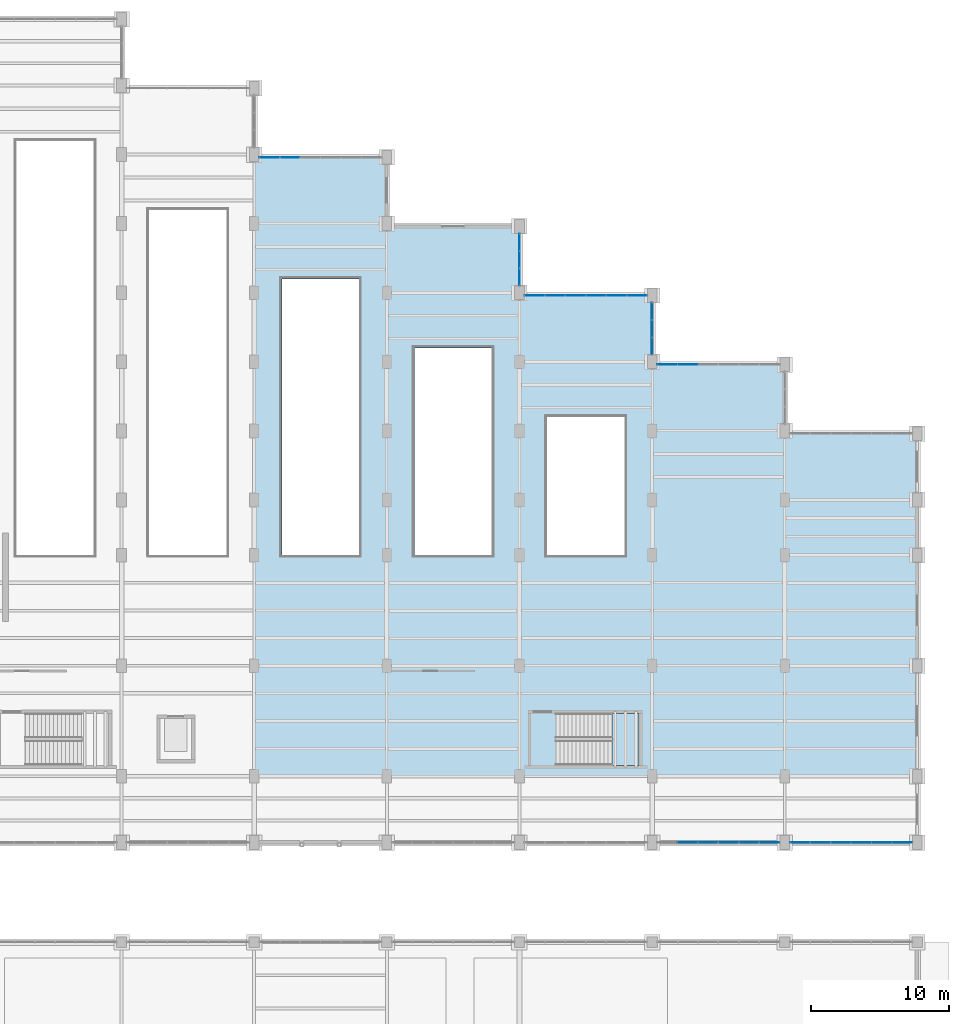
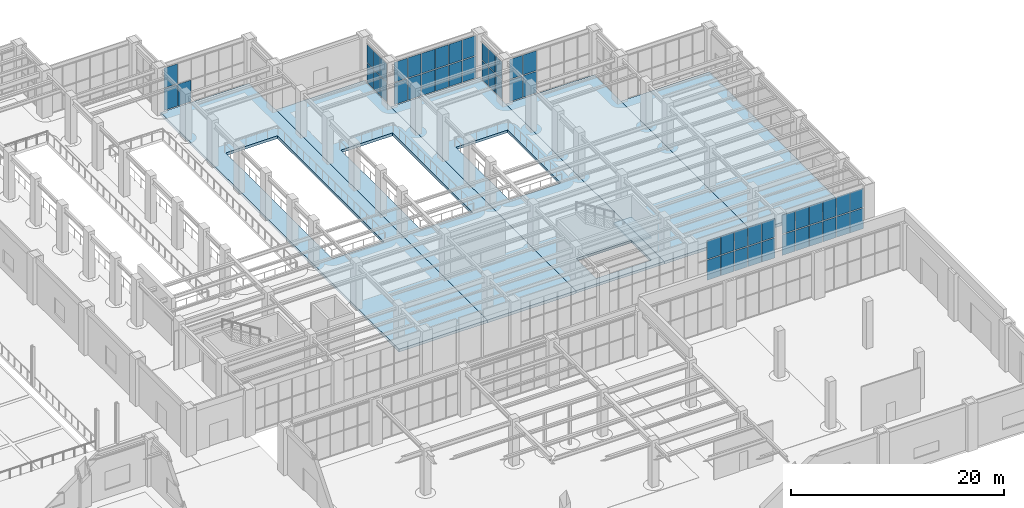
# One storey, part 124 of 164: 53 plates, 6 slabs, 8 elements without a shape of their own.
"""IFC4 building model written with IfcOpenShell, lengths in metres."""

import ifcopenshell
import ifcopenshell.guid

model = None  # the IFC model being written
_history = None  # IfcOwnerHistory: only IFC2X3 demands one
_inside = {}  # id of a spatial element -> (the spatial element, [elements in it])
_under = {}  # id of a project, library or spatial element -> (it, [spatial elements below it])
_declared = {}  # id of a project -> (the project, [libraries it declares])
_typed = {}  # id of a type object -> (the type object, [elements of that type])
_made_of = {}  # id of a material, layer set ... -> (it, [elements and type objects made of it])


def new_model(schema):
    """Start an empty IFC model of exactly this schema.

    Asked for "IFC4X3", IfcOpenShell would pick the latest addendum, in which some entities
    have other attributes; the version numbers below select the first issue.
    IFC2X3 requires an IfcOwnerHistory on every rooted entity: one is made here for all.
    """
    global model, _history
    if schema == "IFC4X3":
        model = ifcopenshell.file(schema_version=(4, 3, 0, 0))
    else:
        model = ifcopenshell.file(schema=schema)
    _inside.clear()
    _under.clear()
    _declared.clear()
    _typed.clear()
    _made_of.clear()
    _history = None
    if model.schema == "IFC2X3":
        org = make("IfcOrganization", Name="unknown")
        user = make(
            "IfcPersonAndOrganization",
            ThePerson=make("IfcPerson", FamilyName="unknown"),
            TheOrganization=org,
        )
        app = make(
            "IfcApplication",
            ApplicationDeveloper=org,
            Version="unknown",
            ApplicationFullName="unknown",
            ApplicationIdentifier="unknown",
        )
        _history = make(
            "IfcOwnerHistory",
            OwningUser=user,
            OwningApplication=app,
            ChangeAction="ADDED",
            CreationDate=0,
        )
    return model


def make(cls, **values):
    """One entity of the class cls with the attributes given. An attribute that is None is left unset."""
    return model.create_entity(
        cls, **{name: value for name, value in values.items() if value is not None}
    )


def rooted(cls, **values):
    """An entity with a GlobalId (a new one), such as an element, a storey or a relation."""
    return make(cls, GlobalId=ifcopenshell.guid.new(), OwnerHistory=_history, **values)


def si_unit(unit_type, name, prefix=None):
    """IfcSIUnit, for example si_unit("LENGTHUNIT", "METRE", prefix="MILLI")."""
    return make("IfcSIUnit", UnitType=unit_type, Prefix=prefix, Name=name)


def assignment(units):
    """IfcUnitAssignment: the units of a project."""
    return None if units is None else make("IfcUnitAssignment", Units=units)


def point(xyz):
    """IfcCartesianPoint."""
    return None if xyz is None else make("IfcCartesianPoint", Coordinates=xyz)


def direction(xyz):
    """IfcDirection."""
    return None if xyz is None else make("IfcDirection", DirectionRatios=xyz)


def frame(location, z_axis=None, x_axis=None):
    """IfcAxis2Placement3D, a coordinate frame: its origin and axes. An axis left out is left unset."""
    return make(
        "IfcAxis2Placement3D",
        Location=point(location),
        Axis=direction(z_axis),
        RefDirection=direction(x_axis),
    )


def frame_2d(location, x_axis=None):
    """IfcAxis2Placement2D, a coordinate frame in the plane: its origin and x axis."""
    return make(
        "IfcAxis2Placement2D", Location=point(location), RefDirection=direction(x_axis)
    )


def origin():
    """The frame at (0, 0, 0) with its axes left unset."""
    return frame((0.0, 0.0, 0.0))


def origin_2d():
    """The frame at (0, 0) in the plane with its x axis left unset."""
    return frame_2d((0.0, 0.0))


def place(relative_to, where):
    """IfcLocalPlacement: puts the frame where relative to a parent placement (None: the world)."""
    return make(
        "IfcLocalPlacement", PlacementRelTo=relative_to, RelativePlacement=where
    )


def context(
    kind, dimensions, precision=None, world=None, true_north=None, identifier=None
):
    """IfcGeometricRepresentationContext, for example the 3D "Model" context."""
    return make(
        "IfcGeometricRepresentationContext",
        ContextIdentifier=identifier,
        ContextType=kind,
        CoordinateSpaceDimension=dimensions,
        Precision=precision,
        WorldCoordinateSystem=world,
        TrueNorth=true_north,
    )


def subcontext(parent, identifier, kind, view, scale=None):
    """IfcGeometricRepresentationSubContext, for example "Body" below "Model"."""
    return make(
        "IfcGeometricRepresentationSubContext",
        ContextIdentifier=identifier,
        ContextType=kind,
        ParentContext=parent,
        TargetScale=scale,
        TargetView=view,
    )


def project(units=None, contexts=None):
    """IfcProject with its units and contexts."""
    return rooted(
        "IfcProject",
        Name="project",
        RepresentationContexts=contexts,
        UnitsInContext=assignment(units),
    )


def spatial(cls, under=None, at=None, **own):
    """A site, building, storey or space (cls), placed at a placement, below another one or the project."""
    s = rooted(cls, ObjectPlacement=at, **own)
    if under is not None:
        _under.setdefault(under.id(), (under, []))[1].append(s)
    return s


def polyline(points):
    """IfcPolyline through the points."""
    return make("IfcPolyline", Points=[point(p) for p in points])


def profile(cls, at=None, kind="AREA", **sizes):
    """A parametric profile (cls). Its sizes go by their IFC names, for example OverallWidth=200.0."""
    return make(cls, ProfileType=kind, Position=at, **sizes)


def rectangle(**sizes):
    """IfcRectangleProfileDef."""
    return profile("IfcRectangleProfileDef", **sizes)


def outline(outer, holes=None, kind="AREA"):
    """IfcArbitraryClosedProfileDef: a profile drawn as a closed curve; with holes, ...WithVoids."""
    if holes is None:
        return make("IfcArbitraryClosedProfileDef", ProfileType=kind, OuterCurve=outer)
    return make(
        "IfcArbitraryProfileDefWithVoids",
        ProfileType=kind,
        OuterCurve=outer,
        InnerCurves=holes,
    )


def extrude(swept, where, along, depth):
    """IfcExtrudedAreaSolid: the profile swept, set in the frame where, extruded along a direction by depth."""
    return make(
        "IfcExtrudedAreaSolid",
        SweptArea=swept,
        Position=where,
        ExtrudedDirection=direction(along),
        Depth=depth,
    )


def shape(context_of_items, identifier, shape_type, items):
    """IfcShapeRepresentation: the items that make up one representation, for example the "Body"."""
    return make(
        "IfcShapeRepresentation",
        ContextOfItems=context_of_items,
        RepresentationIdentifier=identifier,
        RepresentationType=shape_type,
        Items=items,
    )


def material(Name=None, Category=None):
    """IfcMaterial."""
    return make("IfcMaterial", Name=Name, Category=Category)


def layer(
    of_material, thickness, ventilated=None, Name=None, Category=None, Priority=None
):
    """IfcMaterialLayer: one layer of a wall or slab, of a material (None: an air gap)."""
    return make(
        "IfcMaterialLayer",
        Material=of_material,
        LayerThickness=thickness,
        IsVentilated=ventilated,
        Name=Name,
        Category=Category,
        Priority=Priority,
    )


def layer_set(layers, Name=None):
    """IfcMaterialLayerSet."""
    return make("IfcMaterialLayerSet", MaterialLayers=layers, LayerSetName=Name)


def made_of(thing, what):
    """Note that an element or type object is made of a material, layer set ...; save() writes the relation."""
    if what is not None:
        _made_of.setdefault(what.id(), (what, []))[1].append(thing)
    return thing


def type_object(cls, material=None, **own):
    """A type object (cls), such as IfcWallType, which elements share."""
    return made_of(rooted(cls, **own), material)


def element(
    cls,
    number,
    at=None,
    inside=None,
    cuts=None,
    type_object=None,
    material=None,
    context=None,
    identifier="Body",
    shape_type=None,
    held_by="IfcProductDefinitionShape",
    body=None,
    shapes=None,
    **own,
):
    """One element of the class cls, such as IfcWall. Its Tag is "e" and its number.

    at: its placement. inside: the storey or other place that contains it. cuts: it is an
    opening in that element (IfcRelVoidsElement). A single representation is given by context,
    identifier, shape_type and body (its items); several are given by shapes. held_by: the class
    of the entity that holds the representations. save() writes the other relations.
    """
    e = rooted(cls, Tag="e%d" % number, ObjectPlacement=at, **own)
    if body is not None:
        shapes = [shape(context, identifier, shape_type, body)]
    if shapes is not None:
        e.Representation = make(held_by, Representations=shapes)
    if inside is not None:
        _inside.setdefault(inside.id(), (inside, []))[1].append(e)
    if cuts is not None:
        rooted(
            "IfcRelVoidsElement", RelatingBuildingElement=cuts, RelatedOpeningElement=e
        )
    if type_object is not None:
        _typed.setdefault(type_object.id(), (type_object, []))[1].append(e)
    return made_of(e, material)


def aggregate(whole, parts):
    """IfcRelAggregates: a whole, such as a stair, and the parts it consists of."""
    return rooted("IfcRelAggregates", RelatingObject=whole, RelatedObjects=parts)


def save(model, path):
    """Write the relations noted so far, then the file.

    IfcRelAggregates (storeys below a building ...), IfcRelContainedInSpatialStructure (elements
    in a storey), IfcRelDefinesByType, IfcRelAssociatesMaterial and IfcRelDeclares: one each for
    every whole, place, type object, material and project.
    """
    for whole, parts in _under.values():
        aggregate(whole, parts)
    for where, things in _inside.values():
        rooted(
            "IfcRelContainedInSpatialStructure",
            RelatedElements=things,
            RelatingStructure=where,
        )
    for kind, things in _typed.values():
        rooted("IfcRelDefinesByType", RelatedObjects=things, RelatingType=kind)
    for what, things in _made_of.values():
        rooted("IfcRelAssociatesMaterial", RelatedObjects=things, RelatingMaterial=what)
    for by, libraries in _declared.values():
        rooted("IfcRelDeclares", RelatingContext=by, RelatedDefinitions=libraries)
    model.write(path)


model = new_model("IFC4")

# Units and contexts
model_context = context("Model", 3, precision=1e-05, world=origin(), true_north=direction((0.0, 1.0)))
body_context = subcontext(model_context, "Body", "Model", "MODEL_VIEW")
ifc_project = project(units=[si_unit("LENGTHUNIT", "METRE"), si_unit("AREAUNIT", "SQUARE_METRE"), si_unit("VOLUMEUNIT", "CUBIC_METRE"), si_unit("PLANEANGLEUNIT", "RADIAN"), si_unit("MASSUNIT", "GRAM", prefix="KILO")], contexts=[model_context])

# Site, building, storey
site_placement = place(None, origin())
site = spatial("IfcSite", under=ifc_project, at=site_placement, CompositionType="ELEMENT")
building_placement = place(site_placement, origin())
building = spatial("IfcBuilding", under=site, at=building_placement, Name="Mavantir Sound Aquarium", CompositionType="ELEMENT")
storey_placement = place(building_placement, origin())
storey = spatial("IfcBuildingStorey", under=building, at=storey_placement, Name="L00", CompositionType="ELEMENT", Elevation=0.0)

# Curtain wall, plates
ifc_material_1 = material(Name="Anodised Marine Aluminium and Low-E Glass", Category="aluminium")
curtain_wall_type_1 = type_object("IfcCurtainWallType", Name="CW-T15", PredefinedType="USERDEFINED", material=ifc_material_1)
curtain_wall_1_placement = place(storey_placement, origin())
curtain_wall_1 = element("IfcCurtainWall", 1, at=curtain_wall_1_placement, inside=storey, type_object=curtain_wall_type_1, Name="L00 unitised curtain wall CW-15 15", ObjectType="UNITISED GLAZING", PredefinedType="USERDEFINED")
ifc_material_2 = material(Name="Solar-Control Laminated Low-E Glass", Category="glass")
ifc_layer_1 = layer(ifc_material_2, 0.028076171875, Name="Solar-Control Laminated Low-E Glass")
ifc_layer_set_1 = layer_set([ifc_layer_1], Name="Solar-Control Laminated Low-E Glass")
plate_type_1 = type_object("IfcPlateType", Name="CW-PNL-28", PredefinedType="CURTAIN_PANEL", material=ifc_layer_set_1)
plate_1_placement = place(storey_placement, frame((129.779052734375, 85.60009765625, 0.10302734375), z_axis=(0.0, 0.0, 1.0), x_axis=(-1.0, 0.0, 0.0)))
plate_1 = element("IfcPlate", 2, at=plate_1_placement, type_object=plate_type_1, Name="CW-L00-015 glazed curtain panel 5.1", PredefinedType="CURTAIN_PANEL", context=body_context, shape_type="SweptSolid", body=[
    extrude(rectangle(XDim=1.4326171875, YDim=0.028076171875, at=origin_2d()), origin(), (0.0, 0.0, 1.0), 2.480224609375),
])
plate_2_placement = place(storey_placement, frame((128.29833984375, 85.60009765625, 0.10302734375), z_axis=(0.0, 0.0, 1.0), x_axis=(-1.0, 0.0, 0.0)))
plate_2 = element("IfcPlate", 3, at=plate_2_placement, type_object=plate_type_1, Name="CW-L00-015 glazed curtain panel 6.1", PredefinedType="CURTAIN_PANEL", context=body_context, shape_type="SweptSolid", body=[
    extrude(rectangle(XDim=1.4326171875, YDim=0.028076171875, at=origin_2d()), origin(), (0.0, 0.0, 1.0), 2.480224609375),
])
plate_3_placement = place(storey_placement, frame((128.29833984375, 85.60009765625, 2.67919921875), z_axis=(0.0, 0.0, 1.0), x_axis=(-1.0, 0.0, 0.0)))
plate_3 = element("IfcPlate", 4, at=plate_3_placement, type_object=plate_type_1, Name="CW-L00-015 glazed curtain panel 6.2", PredefinedType="CURTAIN_PANEL", context=body_context, shape_type="SweptSolid", body=[
    extrude(rectangle(XDim=1.4326171875, YDim=0.028076171875, at=origin_2d()), origin(), (0.0, 0.0, 1.0), 2.27783203125),
])
aggregate(curtain_wall_1, [plate_1, plate_2, plate_3])

curtain_wall_type_2 = type_object("IfcCurtainWallType", Name="CW-T01", PredefinedType="USERDEFINED", material=ifc_material_1)
curtain_wall_2_placement = place(storey_placement, origin())
curtain_wall_2 = element("IfcCurtainWall", 5, at=curtain_wall_2_placement, inside=storey, type_object=curtain_wall_type_2, Name="L00 unitised curtain wall CW-01 25", ObjectType="UNITISED GLAZING", PredefinedType="USERDEFINED")
plate_4_placement = place(storey_placement, frame((166.6982421875, 36.0, 0.10302734375), z_axis=(0.0, 0.0, 1.0), x_axis=(1.0, 0.0, 0.0)))
plate_4 = element("IfcPlate", 6, at=plate_4_placement, type_object=plate_type_1, Name="CW-L00-025 glazed curtain panel 1.1", PredefinedType="CURTAIN_PANEL", context=body_context, shape_type="SweptSolid", body=[
    extrude(rectangle(XDim=1.4326171875, YDim=0.028076171875, at=origin_2d()), origin(), (0.0, 0.0, 1.0), 2.3623046875),
])
plate_5_placement = place(storey_placement, frame((166.6982421875, 36.0, 2.56103515625), z_axis=(0.0, 0.0, 1.0), x_axis=(1.0, 0.0, 0.0)))
plate_5 = element("IfcPlate", 7, at=plate_5_placement, type_object=plate_type_1, Name="CW-L00-025 glazed curtain panel 1.2", PredefinedType="CURTAIN_PANEL", context=body_context, shape_type="SweptSolid", body=[
    extrude(rectangle(XDim=1.4326171875, YDim=0.028076171875, at=origin_2d()), origin(), (0.0, 0.0, 1.0), 2.168701171875),
])
plate_6_placement = place(storey_placement, frame((168.178955078125, 36.0, 0.10302734375), z_axis=(0.0, 0.0, 1.0), x_axis=(1.0, 0.0, 0.0)))
plate_6 = element("IfcPlate", 8, at=plate_6_placement, type_object=plate_type_1, Name="CW-L00-025 glazed curtain panel 2.1", PredefinedType="CURTAIN_PANEL", context=body_context, shape_type="SweptSolid", body=[
    extrude(rectangle(XDim=1.4326171875, YDim=0.028076171875, at=origin_2d()), origin(), (0.0, 0.0, 1.0), 2.3623046875),
])
plate_7_placement = place(storey_placement, frame((168.178955078125, 36.0, 2.56103515625), z_axis=(0.0, 0.0, 1.0), x_axis=(1.0, 0.0, 0.0)))
plate_7 = element("IfcPlate", 9, at=plate_7_placement, type_object=plate_type_1, Name="CW-L00-025 glazed curtain panel 2.2", PredefinedType="CURTAIN_PANEL", context=body_context, shape_type="SweptSolid", body=[
    extrude(rectangle(XDim=1.4326171875, YDim=0.028076171875, at=origin_2d()), origin(), (0.0, 0.0, 1.0), 2.168701171875),
])
plate_8_placement = place(storey_placement, frame((169.65966796875, 36.0, 0.10302734375), z_axis=(0.0, 0.0, 1.0), x_axis=(1.0, 0.0, 0.0)))
plate_8 = element("IfcPlate", 10, at=plate_8_placement, type_object=plate_type_1, Name="CW-L00-025 glazed curtain panel 3.1", PredefinedType="CURTAIN_PANEL", context=body_context, shape_type="SweptSolid", body=[
    extrude(rectangle(XDim=1.4326171875, YDim=0.028076171875, at=origin_2d()), origin(), (0.0, 0.0, 1.0), 2.3623046875),
])
plate_9_placement = place(storey_placement, frame((169.65966796875, 36.0, 2.56103515625), z_axis=(0.0, 0.0, 1.0), x_axis=(1.0, 0.0, 0.0)))
plate_9 = element("IfcPlate", 11, at=plate_9_placement, type_object=plate_type_1, Name="CW-L00-025 glazed curtain panel 3.2", PredefinedType="CURTAIN_PANEL", context=body_context, shape_type="SweptSolid", body=[
    extrude(rectangle(XDim=1.4326171875, YDim=0.028076171875, at=origin_2d()), origin(), (0.0, 0.0, 1.0), 2.168701171875),
])
plate_10_placement = place(storey_placement, frame((171.140380859375, 36.0, 0.10302734375), z_axis=(0.0, 0.0, 1.0), x_axis=(1.0, 0.0, 0.0)))
plate_10 = element("IfcPlate", 12, at=plate_10_placement, type_object=plate_type_1, Name="CW-L00-025 glazed curtain panel 4.1", PredefinedType="CURTAIN_PANEL", context=body_context, shape_type="SweptSolid", body=[
    extrude(rectangle(XDim=1.4326171875, YDim=0.028076171875, at=origin_2d()), origin(), (0.0, 0.0, 1.0), 2.3623046875),
])
plate_11_placement = place(storey_placement, frame((171.140380859375, 36.0, 2.56103515625), z_axis=(0.0, 0.0, 1.0), x_axis=(1.0, 0.0, 0.0)))
plate_11 = element("IfcPlate", 13, at=plate_11_placement, type_object=plate_type_1, Name="CW-L00-025 glazed curtain panel 4.2", PredefinedType="CURTAIN_PANEL", context=body_context, shape_type="SweptSolid", body=[
    extrude(rectangle(XDim=1.4326171875, YDim=0.028076171875, at=origin_2d()), origin(), (0.0, 0.0, 1.0), 2.168701171875),
])
plate_12_placement = place(storey_placement, frame((172.62109375, 36.0, 0.10302734375), z_axis=(0.0, 0.0, 1.0), x_axis=(1.0, 0.0, 0.0)))
plate_12 = element("IfcPlate", 14, at=plate_12_placement, type_object=plate_type_1, Name="CW-L00-025 glazed curtain panel 5.1", PredefinedType="CURTAIN_PANEL", context=body_context, shape_type="SweptSolid", body=[
    extrude(rectangle(XDim=1.4326171875, YDim=0.028076171875, at=origin_2d()), origin(), (0.0, 0.0, 1.0), 2.3623046875),
])
plate_13_placement = place(storey_placement, frame((172.62109375, 36.0, 2.56103515625), z_axis=(0.0, 0.0, 1.0), x_axis=(1.0, 0.0, 0.0)))
plate_13 = element("IfcPlate", 15, at=plate_13_placement, type_object=plate_type_1, Name="CW-L00-025 glazed curtain panel 5.2", PredefinedType="CURTAIN_PANEL", context=body_context, shape_type="SweptSolid", body=[
    extrude(rectangle(XDim=1.4326171875, YDim=0.028076171875, at=origin_2d()), origin(), (0.0, 0.0, 1.0), 2.168701171875),
])
plate_14_placement = place(storey_placement, frame((174.101806640625, 36.0, 0.10302734375), z_axis=(0.0, 0.0, 1.0), x_axis=(1.0, 0.0, 0.0)))
plate_14 = element("IfcPlate", 16, at=plate_14_placement, type_object=plate_type_1, Name="CW-L00-025 glazed curtain panel 6.1", PredefinedType="CURTAIN_PANEL", context=body_context, shape_type="SweptSolid", body=[
    extrude(rectangle(XDim=1.4326171875, YDim=0.028076171875, at=origin_2d()), origin(), (0.0, 0.0, 1.0), 2.3623046875),
])
plate_15_placement = place(storey_placement, frame((174.101806640625, 36.0, 2.56103515625), z_axis=(0.0, 0.0, 1.0), x_axis=(1.0, 0.0, 0.0)))
plate_15 = element("IfcPlate", 17, at=plate_15_placement, type_object=plate_type_1, Name="CW-L00-025 glazed curtain panel 6.2", PredefinedType="CURTAIN_PANEL", context=body_context, shape_type="SweptSolid", body=[
    extrude(rectangle(XDim=1.4326171875, YDim=0.028076171875, at=origin_2d()), origin(), (0.0, 0.0, 1.0), 2.168701171875),
])
aggregate(curtain_wall_2, [plate_4, plate_5, plate_6, plate_7, plate_8, plate_9, plate_10, plate_11, plate_12, plate_13, plate_14, plate_15])

curtain_wall_type_3 = type_object("IfcCurtainWallType", Name="CW-T05", PredefinedType="USERDEFINED", material=ifc_material_1)
curtain_wall_3_placement = place(storey_placement, origin())
curtain_wall_3 = element("IfcCurtainWall", 18, at=curtain_wall_3_placement, inside=storey, type_object=curtain_wall_type_3, Name="L00 unitised curtain wall CW-05 29", ObjectType="UNITISED GLAZING", PredefinedType="USERDEFINED")
plate_16_placement = place(storey_placement, frame((156.0, 71.938720703125, 0.10302734375), z_axis=(0.0, 0.0, 1.0), x_axis=(0.0, 1.0, 0.0)))
plate_16 = element("IfcPlate", 19, at=plate_16_placement, type_object=plate_type_1, Name="CW-L00-029 glazed curtain panel 1.1", PredefinedType="CURTAIN_PANEL", context=body_context, shape_type="SweptSolid", body=[
    extrude(rectangle(XDim=1.21337890625, YDim=0.028076171875, at=origin_2d()), origin(), (0.0, 0.0, 1.0), 2.1708984375),
])
plate_17_placement = place(storey_placement, frame((156.0, 71.938720703125, 2.369873046875), z_axis=(0.0, 0.0, 1.0), x_axis=(0.0, 1.0, 0.0)))
plate_17 = element("IfcPlate", 20, at=plate_17_placement, type_object=plate_type_1, Name="CW-L00-029 glazed curtain panel 1.2", PredefinedType="CURTAIN_PANEL", context=body_context, shape_type="SweptSolid", body=[
    extrude(rectangle(XDim=1.21337890625, YDim=0.028076171875, at=origin_2d()), origin(), (0.0, 0.0, 1.0), 1.9921875),
])
plate_18_placement = place(storey_placement, frame((156.0, 73.199951171875, 0.10302734375), z_axis=(0.0, 0.0, 1.0), x_axis=(0.0, 1.0, 0.0)))
plate_18 = element("IfcPlate", 21, at=plate_18_placement, type_object=plate_type_1, Name="CW-L00-029 glazed curtain panel 2.1", PredefinedType="CURTAIN_PANEL", context=body_context, shape_type="SweptSolid", body=[
    extrude(rectangle(XDim=1.21337890625, YDim=0.028076171875, at=origin_2d()), origin(), (0.0, 0.0, 1.0), 2.1708984375),
])
plate_19_placement = place(storey_placement, frame((156.0, 73.199951171875, 2.369873046875), z_axis=(0.0, 0.0, 1.0), x_axis=(0.0, 1.0, 0.0)))
plate_19 = element("IfcPlate", 22, at=plate_19_placement, type_object=plate_type_1, Name="CW-L00-029 glazed curtain panel 2.2", PredefinedType="CURTAIN_PANEL", context=body_context, shape_type="SweptSolid", body=[
    extrude(rectangle(XDim=1.21337890625, YDim=0.028076171875, at=origin_2d()), origin(), (0.0, 0.0, 1.0), 1.9921875),
])
plate_20_placement = place(storey_placement, frame((156.0, 74.461181640625, 0.10302734375), z_axis=(0.0, 0.0, 1.0), x_axis=(0.0, 1.0, 0.0)))
plate_20 = element("IfcPlate", 23, at=plate_20_placement, type_object=plate_type_1, Name="CW-L00-029 glazed curtain panel 3.1", PredefinedType="CURTAIN_PANEL", context=body_context, shape_type="SweptSolid", body=[
    extrude(rectangle(XDim=1.21337890625, YDim=0.028076171875, at=origin_2d()), origin(), (0.0, 0.0, 1.0), 2.1708984375),
])
plate_21_placement = place(storey_placement, frame((156.0, 74.461181640625, 2.369873046875), z_axis=(0.0, 0.0, 1.0), x_axis=(0.0, 1.0, 0.0)))
plate_21 = element("IfcPlate", 24, at=plate_21_placement, type_object=plate_type_1, Name="CW-L00-029 glazed curtain panel 3.2", PredefinedType="CURTAIN_PANEL", context=body_context, shape_type="SweptSolid", body=[
    extrude(rectangle(XDim=1.21337890625, YDim=0.028076171875, at=origin_2d()), origin(), (0.0, 0.0, 1.0), 1.9921875),
])
aggregate(curtain_wall_3, [plate_16, plate_17, plate_18, plate_19, plate_20, plate_21])

curtain_wall_type_4 = type_object("IfcCurtainWallType", Name="CW-T14", PredefinedType="USERDEFINED", material=ifc_material_1)
curtain_wall_4_placement = place(storey_placement, origin())
curtain_wall_4 = element("IfcCurtainWall", 25, at=curtain_wall_4_placement, inside=storey, type_object=curtain_wall_type_4, Name="L00 unitised curtain wall CW-14 14", ObjectType="UNITISED GLAZING", PredefinedType="USERDEFINED")
ifc_layer_2 = layer(ifc_material_2, 0.031982421875, Name="Solar-Control Laminated Low-E Glass")
ifc_layer_set_2 = layer_set([ifc_layer_2], Name="Solar-Control Laminated Low-E Glass")
plate_type_2 = type_object("IfcPlateType", Name="CW-PNL-32", PredefinedType="CURTAIN_PANEL", material=ifc_layer_set_2)
plate_22_placement = place(storey_placement, frame((146.39990234375, 76.938720703125, 0.10302734375), z_axis=(0.0, 0.0, 1.0), x_axis=(0.0, 1.0, 0.0)))
plate_22 = element("IfcPlate", 26, at=plate_22_placement, type_object=plate_type_2, Name="CW-L00-014 glazed curtain panel 1.1", PredefinedType="CURTAIN_PANEL", context=body_context, shape_type="SweptSolid", body=[
    extrude(rectangle(XDim=1.21337890625, YDim=0.031982421875, at=origin_2d()), origin(), (0.0, 0.0, 1.0), 2.223876953125),
])
plate_23_placement = place(storey_placement, frame((146.39990234375, 76.938720703125, 2.4228515625), z_axis=(0.0, 0.0, 1.0), x_axis=(0.0, 1.0, 0.0)))
plate_23 = element("IfcPlate", 27, at=plate_23_placement, type_object=plate_type_2, Name="CW-L00-014 glazed curtain panel 1.2", PredefinedType="CURTAIN_PANEL", context=body_context, shape_type="SweptSolid", body=[
    extrude(rectangle(XDim=1.21337890625, YDim=0.031982421875, at=origin_2d()), origin(), (0.0, 0.0, 1.0), 2.041259765625),
])
plate_24_placement = place(storey_placement, frame((146.39990234375, 78.199951171875, 0.10302734375), z_axis=(0.0, 0.0, 1.0), x_axis=(0.0, 1.0, 0.0)))
plate_24 = element("IfcPlate", 28, at=plate_24_placement, type_object=plate_type_2, Name="CW-L00-014 glazed curtain panel 2.1", PredefinedType="CURTAIN_PANEL", context=body_context, shape_type="SweptSolid", body=[
    extrude(rectangle(XDim=1.21337890625, YDim=0.031982421875, at=origin_2d()), origin(), (0.0, 0.0, 1.0), 2.223876953125),
])
plate_25_placement = place(storey_placement, frame((146.39990234375, 78.199951171875, 2.4228515625), z_axis=(0.0, 0.0, 1.0), x_axis=(0.0, 1.0, 0.0)))
plate_25 = element("IfcPlate", 29, at=plate_25_placement, type_object=plate_type_2, Name="CW-L00-014 glazed curtain panel 2.2", PredefinedType="CURTAIN_PANEL", context=body_context, shape_type="SweptSolid", body=[
    extrude(rectangle(XDim=1.21337890625, YDim=0.031982421875, at=origin_2d()), origin(), (0.0, 0.0, 1.0), 2.041259765625),
])
plate_26_placement = place(storey_placement, frame((146.39990234375, 79.461181640625, 0.10302734375), z_axis=(0.0, 0.0, 1.0), x_axis=(0.0, 1.0, 0.0)))
plate_26 = element("IfcPlate", 30, at=plate_26_placement, type_object=plate_type_2, Name="CW-L00-014 glazed curtain panel 3.1", PredefinedType="CURTAIN_PANEL", context=body_context, shape_type="SweptSolid", body=[
    extrude(rectangle(XDim=1.21337890625, YDim=0.031982421875, at=origin_2d()), origin(), (0.0, 0.0, 1.0), 2.223876953125),
])
plate_27_placement = place(storey_placement, frame((146.39990234375, 79.461181640625, 2.4228515625), z_axis=(0.0, 0.0, 1.0), x_axis=(0.0, 1.0, 0.0)))
plate_27 = element("IfcPlate", 31, at=plate_27_placement, type_object=plate_type_2, Name="CW-L00-014 glazed curtain panel 3.2", PredefinedType="CURTAIN_PANEL", context=body_context, shape_type="SweptSolid", body=[
    extrude(rectangle(XDim=1.21337890625, YDim=0.031982421875, at=origin_2d()), origin(), (0.0, 0.0, 1.0), 2.041259765625),
])
aggregate(curtain_wall_4, [plate_22, plate_23, plate_24, plate_25, plate_26, plate_27])

curtain_wall_type_5 = type_object("IfcCurtainWallType", Name="CW-T24", PredefinedType="USERDEFINED", material=ifc_material_1)
curtain_wall_5_placement = place(storey_placement, origin())
curtain_wall_5 = element("IfcCurtainWall", 32, at=curtain_wall_5_placement, inside=storey, type_object=curtain_wall_type_5, Name="L00 unitised curtain wall CW-24 24", ObjectType="UNITISED GLAZING", PredefinedType="USERDEFINED")
plate_28_placement = place(storey_placement, frame((158.5791015625, 36.0, 0.10302734375), z_axis=(0.0, 0.0, 1.0), x_axis=(1.0, 0.0, 0.0)))
plate_28 = element("IfcPlate", 33, at=plate_28_placement, type_object=plate_type_2, Name="CW-L00-024 glazed curtain panel 2.1", PredefinedType="CURTAIN_PANEL", context=body_context, shape_type="SweptSolid", body=[
    extrude(rectangle(XDim=1.4326171875, YDim=0.031982421875, at=origin_2d()), origin(), (0.0, 0.0, 1.0), 2.3076171875),
])
plate_29_placement = place(storey_placement, frame((158.5791015625, 36.0, 2.5068359375), z_axis=(0.0, 0.0, 1.0), x_axis=(1.0, 0.0, 0.0)))
plate_29 = element("IfcPlate", 34, at=plate_29_placement, type_object=plate_type_2, Name="CW-L00-024 glazed curtain panel 2.2", PredefinedType="CURTAIN_PANEL", context=body_context, shape_type="SweptSolid", body=[
    extrude(rectangle(XDim=1.4326171875, YDim=0.031982421875, at=origin_2d()), origin(), (0.0, 0.0, 1.0), 2.118408203125),
])
plate_30_placement = place(storey_placement, frame((160.059814453125, 36.0, 0.10302734375), z_axis=(0.0, 0.0, 1.0), x_axis=(1.0, 0.0, 0.0)))
plate_30 = element("IfcPlate", 35, at=plate_30_placement, type_object=plate_type_2, Name="CW-L00-024 glazed curtain panel 3.1", PredefinedType="CURTAIN_PANEL", context=body_context, shape_type="SweptSolid", body=[
    extrude(rectangle(XDim=1.4326171875, YDim=0.031982421875, at=origin_2d()), origin(), (0.0, 0.0, 1.0), 2.3076171875),
])
plate_31_placement = place(storey_placement, frame((160.059814453125, 36.0, 2.5068359375), z_axis=(0.0, 0.0, 1.0), x_axis=(1.0, 0.0, 0.0)))
plate_31 = element("IfcPlate", 36, at=plate_31_placement, type_object=plate_type_2, Name="CW-L00-024 glazed curtain panel 3.2", PredefinedType="CURTAIN_PANEL", context=body_context, shape_type="SweptSolid", body=[
    extrude(rectangle(XDim=1.4326171875, YDim=0.031982421875, at=origin_2d()), origin(), (0.0, 0.0, 1.0), 2.118408203125),
])
plate_32_placement = place(storey_placement, frame((161.540283203125, 36.0, 0.10302734375), z_axis=(0.0, 0.0, 1.0), x_axis=(1.0, 0.0, 0.0)))
plate_32 = element("IfcPlate", 37, at=plate_32_placement, type_object=plate_type_2, Name="CW-L00-024 glazed curtain panel 4.1", PredefinedType="CURTAIN_PANEL", context=body_context, shape_type="SweptSolid", body=[
    extrude(rectangle(XDim=1.4326171875, YDim=0.031982421875, at=origin_2d()), origin(), (0.0, 0.0, 1.0), 2.3076171875),
])
plate_33_placement = place(storey_placement, frame((161.540283203125, 36.0, 2.5068359375), z_axis=(0.0, 0.0, 1.0), x_axis=(1.0, 0.0, 0.0)))
plate_33 = element("IfcPlate", 38, at=plate_33_placement, type_object=plate_type_2, Name="CW-L00-024 glazed curtain panel 4.2", PredefinedType="CURTAIN_PANEL", context=body_context, shape_type="SweptSolid", body=[
    extrude(rectangle(XDim=1.4326171875, YDim=0.031982421875, at=origin_2d()), origin(), (0.0, 0.0, 1.0), 2.118408203125),
])
plate_34_placement = place(storey_placement, frame((163.02099609375, 36.0, 0.10302734375), z_axis=(0.0, 0.0, 1.0), x_axis=(1.0, 0.0, 0.0)))
plate_34 = element("IfcPlate", 39, at=plate_34_placement, type_object=plate_type_2, Name="CW-L00-024 glazed curtain panel 5.1", PredefinedType="CURTAIN_PANEL", context=body_context, shape_type="SweptSolid", body=[
    extrude(rectangle(XDim=1.4326171875, YDim=0.031982421875, at=origin_2d()), origin(), (0.0, 0.0, 1.0), 2.3076171875),
])
plate_35_placement = place(storey_placement, frame((163.02099609375, 36.0, 2.5068359375), z_axis=(0.0, 0.0, 1.0), x_axis=(1.0, 0.0, 0.0)))
plate_35 = element("IfcPlate", 40, at=plate_35_placement, type_object=plate_type_2, Name="CW-L00-024 glazed curtain panel 5.2", PredefinedType="CURTAIN_PANEL", context=body_context, shape_type="SweptSolid", body=[
    extrude(rectangle(XDim=1.4326171875, YDim=0.031982421875, at=origin_2d()), origin(), (0.0, 0.0, 1.0), 2.118408203125),
])
plate_36_placement = place(storey_placement, frame((164.501708984375, 36.0, 0.10302734375), z_axis=(0.0, 0.0, 1.0), x_axis=(1.0, 0.0, 0.0)))
plate_36 = element("IfcPlate", 41, at=plate_36_placement, type_object=plate_type_2, Name="CW-L00-024 glazed curtain panel 6.1", PredefinedType="CURTAIN_PANEL", context=body_context, shape_type="SweptSolid", body=[
    extrude(rectangle(XDim=1.4326171875, YDim=0.031982421875, at=origin_2d()), origin(), (0.0, 0.0, 1.0), 2.3076171875),
])
plate_37_placement = place(storey_placement, frame((164.501708984375, 36.0, 2.5068359375), z_axis=(0.0, 0.0, 1.0), x_axis=(1.0, 0.0, 0.0)))
plate_37 = element("IfcPlate", 42, at=plate_37_placement, type_object=plate_type_2, Name="CW-L00-024 glazed curtain panel 6.2", PredefinedType="CURTAIN_PANEL", context=body_context, shape_type="SweptSolid", body=[
    extrude(rectangle(XDim=1.4326171875, YDim=0.031982421875, at=origin_2d()), origin(), (0.0, 0.0, 1.0), 2.118408203125),
])
aggregate(curtain_wall_5, [plate_28, plate_29, plate_30, plate_31, plate_32, plate_33, plate_34, plate_35, plate_36, plate_37])

curtain_wall_type_6 = type_object("IfcCurtainWallType", Name="CW-T04", PredefinedType="USERDEFINED", material=ifc_material_1)
curtain_wall_6_placement = place(storey_placement, origin())
curtain_wall_6 = element("IfcCurtainWall", 43, at=curtain_wall_6_placement, inside=storey, type_object=curtain_wall_type_6, Name="L00 unitised curtain wall CW-04 28", ObjectType="UNITISED GLAZING", PredefinedType="USERDEFINED")
plate_38_placement = place(storey_placement, frame((158.5791015625, 70.60009765625, 0.10302734375), z_axis=(0.0, 0.0, 1.0), x_axis=(-1.0, 0.0, 0.0)))
plate_38 = element("IfcPlate", 44, at=plate_38_placement, type_object=plate_type_2, Name="CW-L00-028 glazed curtain panel 5.1", PredefinedType="CURTAIN_PANEL", context=body_context, shape_type="SweptSolid", body=[
    extrude(rectangle(XDim=1.4326171875, YDim=0.031982421875, at=origin_2d()), origin(), (0.0, 0.0, 1.0), 2.480224609375),
])
plate_39_placement = place(storey_placement, frame((158.5791015625, 70.60009765625, 2.67919921875), z_axis=(0.0, 0.0, 1.0), x_axis=(-1.0, 0.0, 0.0)))
plate_39 = element("IfcPlate", 45, at=plate_39_placement, type_object=plate_type_2, Name="CW-L00-028 glazed curtain panel 5.2", PredefinedType="CURTAIN_PANEL", context=body_context, shape_type="SweptSolid", body=[
    extrude(rectangle(XDim=1.4326171875, YDim=0.031982421875, at=origin_2d()), origin(), (0.0, 0.0, 1.0), 2.27783203125),
])
plate_40_placement = place(storey_placement, frame((157.098388671875, 70.60009765625, 0.10302734375), z_axis=(0.0, 0.0, 1.0), x_axis=(-1.0, 0.0, 0.0)))
plate_40 = element("IfcPlate", 46, at=plate_40_placement, type_object=plate_type_2, Name="CW-L00-028 glazed curtain panel 6.1", PredefinedType="CURTAIN_PANEL", context=body_context, shape_type="SweptSolid", body=[
    extrude(rectangle(XDim=1.4326171875, YDim=0.031982421875, at=origin_2d()), origin(), (0.0, 0.0, 1.0), 2.480224609375),
])
plate_41_placement = place(storey_placement, frame((157.098388671875, 70.60009765625, 2.67919921875), z_axis=(0.0, 0.0, 1.0), x_axis=(-1.0, 0.0, 0.0)))
plate_41 = element("IfcPlate", 47, at=plate_41_placement, type_object=plate_type_2, Name="CW-L00-028 glazed curtain panel 6.2", PredefinedType="CURTAIN_PANEL", context=body_context, shape_type="SweptSolid", body=[
    extrude(rectangle(XDim=1.4326171875, YDim=0.031982421875, at=origin_2d()), origin(), (0.0, 0.0, 1.0), 2.27783203125),
])
aggregate(curtain_wall_6, [plate_38, plate_39, plate_40, plate_41])

curtain_wall_type_7 = type_object("IfcCurtainWallType", Name="CW-T06", PredefinedType="USERDEFINED", material=ifc_material_1)
curtain_wall_7_placement = place(storey_placement, origin())
curtain_wall_7 = element("IfcCurtainWall", 48, at=curtain_wall_7_placement, inside=storey, type_object=curtain_wall_type_7, Name="L00 unitised curtain wall CW-06 30", ObjectType="UNITISED GLAZING", PredefinedType="USERDEFINED")
plate_42_placement = place(storey_placement, frame((154.901611328125, 75.60009765625, 0.10302734375), z_axis=(0.0, 0.0, 1.0), x_axis=(-1.0, 0.0, 0.0)))
plate_42 = element("IfcPlate", 49, at=plate_42_placement, type_object=plate_type_2, Name="CW-L00-030 glazed curtain panel 1.1", PredefinedType="CURTAIN_PANEL", context=body_context, shape_type="SweptSolid", body=[
    extrude(rectangle(XDim=1.4326171875, YDim=0.031982421875, at=origin_2d()), origin(), (0.0, 0.0, 1.0), 2.480224609375),
])
plate_43_placement = place(storey_placement, frame((154.901611328125, 75.60009765625, 2.67919921875), z_axis=(0.0, 0.0, 1.0), x_axis=(-1.0, 0.0, 0.0)))
plate_43 = element("IfcPlate", 50, at=plate_43_placement, type_object=plate_type_2, Name="CW-L00-030 glazed curtain panel 1.2", PredefinedType="CURTAIN_PANEL", context=body_context, shape_type="SweptSolid", body=[
    extrude(rectangle(XDim=1.4326171875, YDim=0.031982421875, at=origin_2d()), origin(), (0.0, 0.0, 1.0), 2.27783203125),
])
plate_44_placement = place(storey_placement, frame((153.4208984375, 75.60009765625, 0.10302734375), z_axis=(0.0, 0.0, 1.0), x_axis=(-1.0, 0.0, 0.0)))
plate_44 = element("IfcPlate", 51, at=plate_44_placement, type_object=plate_type_2, Name="CW-L00-030 glazed curtain panel 2.1", PredefinedType="CURTAIN_PANEL", context=body_context, shape_type="SweptSolid", body=[
    extrude(rectangle(XDim=1.4326171875, YDim=0.031982421875, at=origin_2d()), origin(), (0.0, 0.0, 1.0), 2.480224609375),
])
plate_45_placement = place(storey_placement, frame((153.4208984375, 75.60009765625, 2.67919921875), z_axis=(0.0, 0.0, 1.0), x_axis=(-1.0, 0.0, 0.0)))
plate_45 = element("IfcPlate", 52, at=plate_45_placement, type_object=plate_type_2, Name="CW-L00-030 glazed curtain panel 2.2", PredefinedType="CURTAIN_PANEL", context=body_context, shape_type="SweptSolid", body=[
    extrude(rectangle(XDim=1.4326171875, YDim=0.031982421875, at=origin_2d()), origin(), (0.0, 0.0, 1.0), 2.27783203125),
])
plate_46_placement = place(storey_placement, frame((151.940185546875, 75.60009765625, 0.10302734375), z_axis=(0.0, 0.0, 1.0), x_axis=(-1.0, 0.0, 0.0)))
plate_46 = element("IfcPlate", 53, at=plate_46_placement, type_object=plate_type_2, Name="CW-L00-030 glazed curtain panel 3.1", PredefinedType="CURTAIN_PANEL", context=body_context, shape_type="SweptSolid", body=[
    extrude(rectangle(XDim=1.4326171875, YDim=0.031982421875, at=origin_2d()), origin(), (0.0, 0.0, 1.0), 2.480224609375),
])
plate_47_placement = place(storey_placement, frame((151.940185546875, 75.60009765625, 2.67919921875), z_axis=(0.0, 0.0, 1.0), x_axis=(-1.0, 0.0, 0.0)))
plate_47 = element("IfcPlate", 54, at=plate_47_placement, type_object=plate_type_2, Name="CW-L00-030 glazed curtain panel 3.2", PredefinedType="CURTAIN_PANEL", context=body_context, shape_type="SweptSolid", body=[
    extrude(rectangle(XDim=1.4326171875, YDim=0.031982421875, at=origin_2d()), origin(), (0.0, 0.0, 1.0), 2.27783203125),
])
plate_48_placement = place(storey_placement, frame((150.459716796875, 75.60009765625, 0.10302734375), z_axis=(0.0, 0.0, 1.0), x_axis=(-1.0, 0.0, 0.0)))
plate_48 = element("IfcPlate", 55, at=plate_48_placement, type_object=plate_type_2, Name="CW-L00-030 glazed curtain panel 4.1", PredefinedType="CURTAIN_PANEL", context=body_context, shape_type="SweptSolid", body=[
    extrude(rectangle(XDim=1.4326171875, YDim=0.031982421875, at=origin_2d()), origin(), (0.0, 0.0, 1.0), 2.480224609375),
])
plate_49_placement = place(storey_placement, frame((150.459716796875, 75.60009765625, 2.67919921875), z_axis=(0.0, 0.0, 1.0), x_axis=(-1.0, 0.0, 0.0)))
plate_49 = element("IfcPlate", 56, at=plate_49_placement, type_object=plate_type_2, Name="CW-L00-030 glazed curtain panel 4.2", PredefinedType="CURTAIN_PANEL", context=body_context, shape_type="SweptSolid", body=[
    extrude(rectangle(XDim=1.4326171875, YDim=0.031982421875, at=origin_2d()), origin(), (0.0, 0.0, 1.0), 2.27783203125),
])
plate_50_placement = place(storey_placement, frame((148.97900390625, 75.60009765625, 0.10302734375), z_axis=(0.0, 0.0, 1.0), x_axis=(-1.0, 0.0, 0.0)))
plate_50 = element("IfcPlate", 57, at=plate_50_placement, type_object=plate_type_2, Name="CW-L00-030 glazed curtain panel 5.1", PredefinedType="CURTAIN_PANEL", context=body_context, shape_type="SweptSolid", body=[
    extrude(rectangle(XDim=1.4326171875, YDim=0.031982421875, at=origin_2d()), origin(), (0.0, 0.0, 1.0), 2.480224609375),
])
plate_51_placement = place(storey_placement, frame((148.97900390625, 75.60009765625, 2.67919921875), z_axis=(0.0, 0.0, 1.0), x_axis=(-1.0, 0.0, 0.0)))
plate_51 = element("IfcPlate", 58, at=plate_51_placement, type_object=plate_type_2, Name="CW-L00-030 glazed curtain panel 5.2", PredefinedType="CURTAIN_PANEL", context=body_context, shape_type="SweptSolid", body=[
    extrude(rectangle(XDim=1.4326171875, YDim=0.031982421875, at=origin_2d()), origin(), (0.0, 0.0, 1.0), 2.27783203125),
])
plate_52_placement = place(storey_placement, frame((147.498291015625, 75.60009765625, 0.10302734375), z_axis=(0.0, 0.0, 1.0), x_axis=(-1.0, 0.0, 0.0)))
plate_52 = element("IfcPlate", 59, at=plate_52_placement, type_object=plate_type_2, Name="CW-L00-030 glazed curtain panel 6.1", PredefinedType="CURTAIN_PANEL", context=body_context, shape_type="SweptSolid", body=[
    extrude(rectangle(XDim=1.4326171875, YDim=0.031982421875, at=origin_2d()), origin(), (0.0, 0.0, 1.0), 2.480224609375),
])
plate_53_placement = place(storey_placement, frame((147.498291015625, 75.60009765625, 2.67919921875), z_axis=(0.0, 0.0, 1.0), x_axis=(-1.0, 0.0, 0.0)))
plate_53 = element("IfcPlate", 60, at=plate_53_placement, type_object=plate_type_2, Name="CW-L00-030 glazed curtain panel 6.2", PredefinedType="CURTAIN_PANEL", context=body_context, shape_type="SweptSolid", body=[
    extrude(rectangle(XDim=1.4326171875, YDim=0.031982421875, at=origin_2d()), origin(), (0.0, 0.0, 1.0), 2.27783203125),
])
aggregate(curtain_wall_7, [plate_42, plate_43, plate_44, plate_45, plate_46, plate_47, plate_48, plate_49, plate_50, plate_51, plate_52, plate_53])

# Slabs
ifc_material_3 = material(Name="Concrete C40/50", Category="concrete")
ifc_layer_3 = layer(ifc_material_3, 0.330078125, Name="Concrete C40/50")
ifc_layer_set_3 = layer_set([ifc_layer_3], Name="Concrete C40/50")
slab_type_1 = type_object("IfcSlabType", Name="SLB-FS-05", PredefinedType="FLOOR", material=ifc_layer_set_3)
slab_1_placement = place(storey_placement, frame((0.0, 0.0, -0.330078125)))
element("IfcSlab", 61, at=slab_1_placement, inside=storey, type_object=slab_type_1, Name="L00 structural slab FS-05 (V4)", PredefinedType="FLOOR", context=body_context, shape_type="SweptSolid", body=[
    extrude(outline(polyline([(146.39990234375, 40.800048828125), (146.39990234375, 80.60009765625), (136.800048828125, 80.60009765625), (136.800048828125, 40.800048828125), (146.39990234375, 40.800048828125)]), holes=[polyline([(138.800048828125, 56.800048828125), (144.39990234375, 56.800048828125), (144.39990234375, 71.800048828125), (138.800048828125, 71.800048828125), (138.800048828125, 56.800048828125)])]), origin(), (0.0, 0.0, 1.0), 0.330078125),
])
slab_2_placement = place(storey_placement, frame((0.0, 0.0, -0.330078125)))
element("IfcSlab", 62, at=slab_2_placement, inside=storey, type_object=slab_type_1, Name="L00 structural slab FS-05 (V4)", PredefinedType="FLOOR", context=body_context, shape_type="SweptSolid", body=[
    extrude(outline(polyline([(175.199951171875, 40.800048828125), (175.199951171875, 65.60009765625), (165.60009765625, 65.60009765625), (165.60009765625, 40.800048828125), (175.199951171875, 40.800048828125)])), origin(), (0.0, 0.0, 1.0), 0.330078125),
])
ifc_layer_4 = layer(ifc_material_3, 0.2900390625, Name="Concrete C40/50")
ifc_layer_set_4 = layer_set([ifc_layer_4], Name="Concrete C40/50")
slab_type_2 = type_object("IfcSlabType", Name="SLB-FS-06", PredefinedType="FLOOR", material=ifc_layer_set_4)
slab_3_placement = place(storey_placement, frame((0.0, 0.0, -0.2900390625)))
element("IfcSlab", 63, at=slab_3_placement, inside=storey, type_object=slab_type_2, Name="L00 structural slab FS-06 (V4)", PredefinedType="FLOOR", context=body_context, shape_type="SweptSolid", body=[
    extrude(outline(polyline([(156.0, 40.800048828125), (156.0, 75.60009765625), (146.39990234375, 75.60009765625), (146.39990234375, 40.800048828125), (156.0, 40.800048828125)]), holes=[polyline([(148.39990234375, 56.800048828125), (154.0, 56.800048828125), (154.0, 66.800048828125), (148.39990234375, 66.800048828125), (148.39990234375, 56.800048828125)]), polyline([(149.050048828125, 41.60009765625), (155.050048828125, 41.60009765625), (155.050048828125, 45.35009765625), (149.050048828125, 45.35009765625), (149.050048828125, 41.60009765625)])]), origin(), (0.0, 0.0, 1.0), 0.2900390625),
])
ifc_layer_5 = layer(ifc_material_3, 0.31005859375, Name="Concrete C40/50")
ifc_layer_set_5 = layer_set([ifc_layer_5], Name="Concrete C40/50")
slab_type_3 = type_object("IfcSlabType", Name="SLB-FS-07", PredefinedType="FLOOR", material=ifc_layer_set_5)
slab_4_placement = place(storey_placement, frame((0.0, 0.0, -0.31005859375)))
element("IfcSlab", 64, at=slab_4_placement, inside=storey, type_object=slab_type_3, Name="L00 structural slab FS-07 (V4)", PredefinedType="FLOOR", context=body_context, shape_type="SweptSolid", body=[
    extrude(outline(polyline([(136.800048828125, 40.800048828125), (136.800048828125, 85.60009765625), (127.199951171875, 85.60009765625), (127.199951171875, 40.800048828125), (136.800048828125, 40.800048828125)]), holes=[polyline([(129.199951171875, 56.800048828125), (134.800048828125, 56.800048828125), (134.800048828125, 76.800048828125), (129.199951171875, 76.800048828125), (129.199951171875, 56.800048828125)])]), origin(), (0.0, 0.0, 1.0), 0.31005859375),
])
slab_5_placement = place(storey_placement, frame((0.0, 0.0, -0.31005859375)))
element("IfcSlab", 65, at=slab_5_placement, inside=storey, type_object=slab_type_3, Name="L00 structural slab FS-07 (V4)", PredefinedType="FLOOR", context=body_context, shape_type="SweptSolid", body=[
    extrude(outline(polyline([(165.60009765625, 40.800048828125), (165.60009765625, 70.60009765625), (156.0, 70.60009765625), (156.0, 40.800048828125), (165.60009765625, 40.800048828125)])), origin(), (0.0, 0.0, 1.0), 0.31005859375),
])

# Stair, slab
stair_type = type_object("IfcStairType", Name="STR-1800-5400", PredefinedType="HALF_TURN_STAIR", material=ifc_material_3)
stair_placement = place(storey_placement, origin())
stair = element("IfcStair", 66, at=stair_placement, inside=storey, type_object=stair_type, Name="L00 Protected exit stair ST12", PredefinedType="HALF_TURN_STAIR")
ifc_layer_6 = layer(ifc_material_3, 0.199951171875, Name="Concrete C40/50")
ifc_layer_set_6 = layer_set([ifc_layer_6], Name="Concrete C40/50")
slab_type_4 = type_object("IfcSlabType", Name="SLB-LND-360", PredefinedType="LANDING", material=ifc_layer_set_6)
slab_6_placement = place(storey_placement, frame((0.0, 0.0, 2.5)))
slab_6 = element("IfcSlab", 67, at=slab_6_placement, type_object=slab_type_4, Name="ST12 landing 1", PredefinedType="LANDING", context=body_context, shape_type="SweptSolid", body=[
    extrude(outline(polyline([(153.110107421875, 41.60009765625), (155.050048828125, 41.60009765625), (155.050048828125, 45.35009765625), (153.110107421875, 45.35009765625), (153.110107421875, 41.60009765625)])), origin(), (0.0, 0.0, 1.0), 0.199951171875),
])
aggregate(stair, [slab_6])

save(model, "model.ifc")
